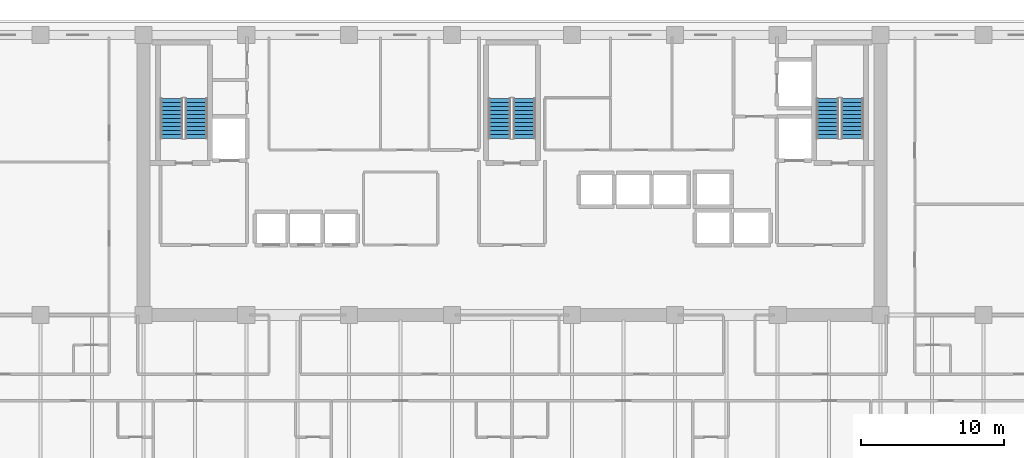
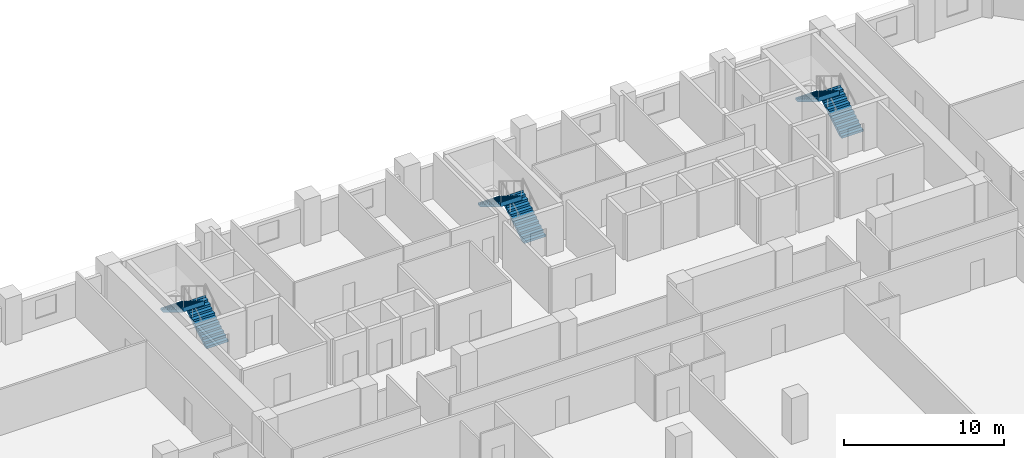
# One storey, part 11 of 15: 6 stair flights, 3 elements without a shape of their own.
"""IFC4 building model written with IfcOpenShell, lengths in metres."""

from ifc_helpers import new_model, si_unit, direction, frame, origin, place, context, subcontext, project, spatial, polyline, outline, extrude, material, type_object, element, aggregate, save


model = new_model("IFC4")

# Units and contexts
model_context = context("Model", 3, precision=1e-05, world=origin(), true_north=direction((0.0, 1.0)))
body_context = subcontext(model_context, "Body", "Model", "MODEL_VIEW")
ifc_project = project(units=[si_unit("LENGTHUNIT", "METRE"), si_unit("AREAUNIT", "SQUARE_METRE"), si_unit("VOLUMEUNIT", "CUBIC_METRE"), si_unit("PLANEANGLEUNIT", "RADIAN"), si_unit("MASSUNIT", "GRAM", prefix="KILO")], contexts=[model_context])

# Site, building, storey
site_placement = place(None, origin())
site = spatial("IfcSite", under=ifc_project, at=site_placement, CompositionType="ELEMENT")
building_placement = place(site_placement, origin())
building = spatial("IfcBuilding", under=site, at=building_placement, Name="Kaelvorn Grand Hotel", CompositionType="ELEMENT")
storey_placement = place(building_placement, frame((0.0, 0.0, 111.800048828125)))
storey = spatial("IfcBuildingStorey", under=building, at=storey_placement, Name="L26", CompositionType="ELEMENT", Elevation=111.800048828125)

# Stair, stair flights
ifc_material = material(Name="Concrete C40/50", Category="concrete")
stair_type = type_object("IfcStairType", Name="STR-DOG-1560-R06", PredefinedType="HALF_TURN_STAIR", material=ifc_material)
stair_1_placement = place(storey_placement, origin())
stair_1 = element("IfcStair", 1, at=stair_1_placement, inside=storey, type_object=stair_type, Name="L26 West Core Exit Stair ST1", PredefinedType="HALF_TURN_STAIR")
stair_flight_type = type_object("IfcStairFlightType", Name="FLG-DOG-1560-R06", PredefinedType="STRAIGHT", material=ifc_material)
stair_flight_1_placement = place(storey_placement, frame((19.89990234375, 41.760009765625, 0.0), z_axis=(0.0, 0.0, 1.0), x_axis=(0.0, 1.0, 0.0)))
stair_flight_1 = element("IfcStairFlight", 2, at=stair_flight_1_placement, type_object=stair_flight_type, Name="ST1 flight 1", NumberOfRisers=11, NumberOfTreads=10, PredefinedType="STRAIGHT", RiserHeight=0.170454545, TreadLength=0.28, context=body_context, shape_type="SweptSolid", body=[
    extrude(outline(polyline([(-0.0048828125, 0.0), (-0.0048828125, 0.0400390625), (0.0, 0.17041015625), (0.280029296875, 0.17041015625), (0.280029296875, 0.3408203125), (0.56005859375, 0.3408203125), (0.56005859375, 0.511474609375), (0.840087890625, 0.511474609375), (0.840087890625, 0.681884765625), (1.1201171875, 0.681884765625), (1.1201171875, 0.852294921875), (1.39990234375, 0.852294921875), (1.39990234375, 1.022705078125), (1.679931640625, 1.022705078125), (1.679931640625, 1.193115234375), (1.9599609375, 1.193115234375), (1.9599609375, 1.363525390625), (2.239990234375, 1.363525390625), (2.239990234375, 1.5341796875), (2.52001953125, 1.5341796875), (2.52001953125, 1.70458984375), (2.800048828125, 1.70458984375), (2.800048828125, 1.875), (2.804931640625, 1.875), (2.804931640625, 1.529052734375), (0.288330078125, 0.0), (-0.0048828125, 0.0)])), frame((0.0, 0.780029296875, 0.0), z_axis=(0.0, -1.0, 0.0), x_axis=(1.0, 0.0, 0.0)), (0.0, 0.0, 1.0), 1.56005859375),
])
stair_flight_2_placement = place(storey_placement, frame((18.179931640625, 44.56005859375, 1.875), z_axis=(0.0, 0.0, 1.0), x_axis=(0.0, -1.0, 0.0)))
stair_flight_2 = element("IfcStairFlight", 3, at=stair_flight_2_placement, type_object=stair_flight_type, Name="ST1 flight 2", NumberOfRisers=11, NumberOfTreads=10, PredefinedType="STRAIGHT", RiserHeight=0.170454545, TreadLength=0.28, context=body_context, shape_type="SweptSolid", body=[
    extrude(outline(polyline([(-0.0048828125, 0.0), (-0.0048828125, 0.0400390625), (0.0, 0.17041015625), (0.280029296875, 0.17041015625), (0.280029296875, 0.3408203125), (0.56005859375, 0.3408203125), (0.56005859375, 0.511474609375), (0.840087890625, 0.511474609375), (0.840087890625, 0.681884765625), (1.1201171875, 0.681884765625), (1.1201171875, 0.852294921875), (1.39990234375, 0.852294921875), (1.39990234375, 1.022705078125), (1.679931640625, 1.022705078125), (1.679931640625, 1.193115234375), (1.9599609375, 1.193115234375), (1.9599609375, 1.363525390625), (2.239990234375, 1.363525390625), (2.239990234375, 1.5341796875), (2.52001953125, 1.5341796875), (2.52001953125, 1.70458984375), (2.800048828125, 1.70458984375), (2.800048828125, 1.875), (2.804931640625, 1.875), (2.804931640625, 1.529052734375), (0.288330078125, 0.0), (-0.0048828125, 0.0)])), frame((0.0, 0.780029296875, 0.0), z_axis=(0.0, -1.0, 0.0), x_axis=(1.0, 0.0, 0.0)), (0.0, 0.0, 1.0), 1.56005859375),
])
aggregate(stair_1, [stair_flight_1, stair_flight_2])

stair_2_placement = place(storey_placement, origin())
stair_2 = element("IfcStair", 4, at=stair_2_placement, inside=storey, type_object=stair_type, Name="L26 Central Core Exit Stair ST2", PredefinedType="HALF_TURN_STAIR")
stair_flight_3_placement = place(storey_placement, frame((42.860107421875, 41.760009765625, 0.0), z_axis=(0.0, 0.0, 1.0), x_axis=(0.0, 1.0, 0.0)))
stair_flight_3 = element("IfcStairFlight", 5, at=stair_flight_3_placement, type_object=stair_flight_type, Name="ST2 flight 1", NumberOfRisers=11, NumberOfTreads=10, PredefinedType="STRAIGHT", RiserHeight=0.170454545, TreadLength=0.28, context=body_context, shape_type="SweptSolid", body=[
    extrude(outline(polyline([(-0.0048828125, 0.0), (-0.0048828125, 0.0400390625), (0.0, 0.17041015625), (0.280029296875, 0.17041015625), (0.280029296875, 0.3408203125), (0.56005859375, 0.3408203125), (0.56005859375, 0.511474609375), (0.840087890625, 0.511474609375), (0.840087890625, 0.681884765625), (1.1201171875, 0.681884765625), (1.1201171875, 0.852294921875), (1.39990234375, 0.852294921875), (1.39990234375, 1.022705078125), (1.679931640625, 1.022705078125), (1.679931640625, 1.193115234375), (1.9599609375, 1.193115234375), (1.9599609375, 1.363525390625), (2.239990234375, 1.363525390625), (2.239990234375, 1.5341796875), (2.52001953125, 1.5341796875), (2.52001953125, 1.70458984375), (2.800048828125, 1.70458984375), (2.800048828125, 1.875), (2.804931640625, 1.875), (2.804931640625, 1.529052734375), (0.288330078125, 0.0), (-0.0048828125, 0.0)])), frame((0.0, 0.780029296875, 0.0), z_axis=(0.0, -1.0, 0.0), x_axis=(1.0, 0.0, 0.0)), (0.0, 0.0, 1.0), 1.56005859375),
])
stair_flight_4_placement = place(storey_placement, frame((41.139892578125, 44.56005859375, 1.875), z_axis=(0.0, 0.0, 1.0), x_axis=(0.0, -1.0, 0.0)))
stair_flight_4 = element("IfcStairFlight", 6, at=stair_flight_4_placement, type_object=stair_flight_type, Name="ST2 flight 2", NumberOfRisers=11, NumberOfTreads=10, PredefinedType="STRAIGHT", RiserHeight=0.170454545, TreadLength=0.28, context=body_context, shape_type="SweptSolid", body=[
    extrude(outline(polyline([(-0.0048828125, 0.0), (-0.0048828125, 0.0400390625), (0.0, 0.17041015625), (0.280029296875, 0.17041015625), (0.280029296875, 0.3408203125), (0.56005859375, 0.3408203125), (0.56005859375, 0.511474609375), (0.840087890625, 0.511474609375), (0.840087890625, 0.681884765625), (1.1201171875, 0.681884765625), (1.1201171875, 0.852294921875), (1.39990234375, 0.852294921875), (1.39990234375, 1.022705078125), (1.679931640625, 1.022705078125), (1.679931640625, 1.193115234375), (1.9599609375, 1.193115234375), (1.9599609375, 1.363525390625), (2.239990234375, 1.363525390625), (2.239990234375, 1.5341796875), (2.52001953125, 1.5341796875), (2.52001953125, 1.70458984375), (2.800048828125, 1.70458984375), (2.800048828125, 1.875), (2.804931640625, 1.875), (2.804931640625, 1.529052734375), (0.288330078125, 0.0), (-0.0048828125, 0.0)])), frame((0.0, 0.780029296875, 0.0), z_axis=(0.0, -1.0, 0.0), x_axis=(1.0, 0.0, 0.0)), (0.0, 0.0, 1.0), 1.56005859375),
])
aggregate(stair_2, [stair_flight_3, stair_flight_4])

stair_3_placement = place(storey_placement, origin())
stair_3 = element("IfcStair", 7, at=stair_3_placement, inside=storey, type_object=stair_type, Name="L26 East Core Exit Stair ST3", PredefinedType="HALF_TURN_STAIR")
stair_flight_5_placement = place(storey_placement, frame((65.820068359375, 41.760009765625, 0.0), z_axis=(0.0, 0.0, 1.0), x_axis=(0.0, 1.0, 0.0)))
stair_flight_5 = element("IfcStairFlight", 8, at=stair_flight_5_placement, type_object=stair_flight_type, Name="ST3 flight 1", NumberOfRisers=11, NumberOfTreads=10, PredefinedType="STRAIGHT", RiserHeight=0.170454545, TreadLength=0.28, context=body_context, shape_type="SweptSolid", body=[
    extrude(outline(polyline([(-0.0048828125, 0.0), (-0.0048828125, 0.0400390625), (0.0, 0.17041015625), (0.280029296875, 0.17041015625), (0.280029296875, 0.3408203125), (0.56005859375, 0.3408203125), (0.56005859375, 0.511474609375), (0.840087890625, 0.511474609375), (0.840087890625, 0.681884765625), (1.1201171875, 0.681884765625), (1.1201171875, 0.852294921875), (1.39990234375, 0.852294921875), (1.39990234375, 1.022705078125), (1.679931640625, 1.022705078125), (1.679931640625, 1.193115234375), (1.9599609375, 1.193115234375), (1.9599609375, 1.363525390625), (2.239990234375, 1.363525390625), (2.239990234375, 1.5341796875), (2.52001953125, 1.5341796875), (2.52001953125, 1.70458984375), (2.800048828125, 1.70458984375), (2.800048828125, 1.875), (2.804931640625, 1.875), (2.804931640625, 1.529052734375), (0.288330078125, 0.0), (-0.0048828125, 0.0)])), frame((0.0, 0.780029296875, 0.0), z_axis=(0.0, -1.0, 0.0), x_axis=(1.0, 0.0, 0.0)), (0.0, 0.0, 1.0), 1.56005859375),
])
stair_flight_6_placement = place(storey_placement, frame((64.10009765625, 44.56005859375, 1.875), z_axis=(0.0, 0.0, 1.0), x_axis=(0.0, -1.0, 0.0)))
stair_flight_6 = element("IfcStairFlight", 9, at=stair_flight_6_placement, type_object=stair_flight_type, Name="ST3 flight 2", NumberOfRisers=11, NumberOfTreads=10, PredefinedType="STRAIGHT", RiserHeight=0.170454545, TreadLength=0.28, context=body_context, shape_type="SweptSolid", body=[
    extrude(outline(polyline([(-0.0048828125, 0.0), (-0.0048828125, 0.0400390625), (0.0, 0.17041015625), (0.280029296875, 0.17041015625), (0.280029296875, 0.3408203125), (0.56005859375, 0.3408203125), (0.56005859375, 0.511474609375), (0.840087890625, 0.511474609375), (0.840087890625, 0.681884765625), (1.1201171875, 0.681884765625), (1.1201171875, 0.852294921875), (1.39990234375, 0.852294921875), (1.39990234375, 1.022705078125), (1.679931640625, 1.022705078125), (1.679931640625, 1.193115234375), (1.9599609375, 1.193115234375), (1.9599609375, 1.363525390625), (2.239990234375, 1.363525390625), (2.239990234375, 1.5341796875), (2.52001953125, 1.5341796875), (2.52001953125, 1.70458984375), (2.800048828125, 1.70458984375), (2.800048828125, 1.875), (2.804931640625, 1.875), (2.804931640625, 1.529052734375), (0.288330078125, 0.0), (-0.0048828125, 0.0)])), frame((0.0, 0.780029296875, 0.0), z_axis=(0.0, -1.0, 0.0), x_axis=(1.0, 0.0, 0.0)), (0.0, 0.0, 1.0), 1.56005859375),
])
aggregate(stair_3, [stair_flight_5, stair_flight_6])

save(model, "model.ifc")
